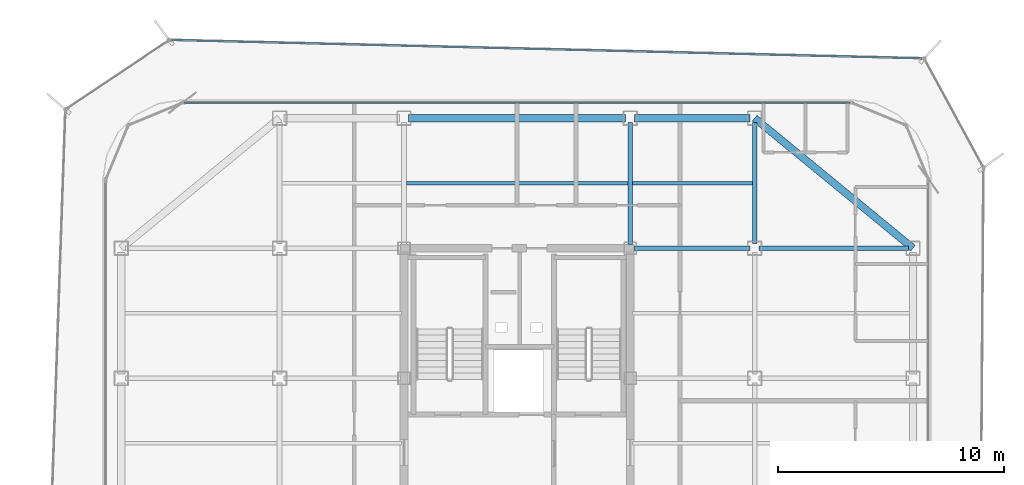
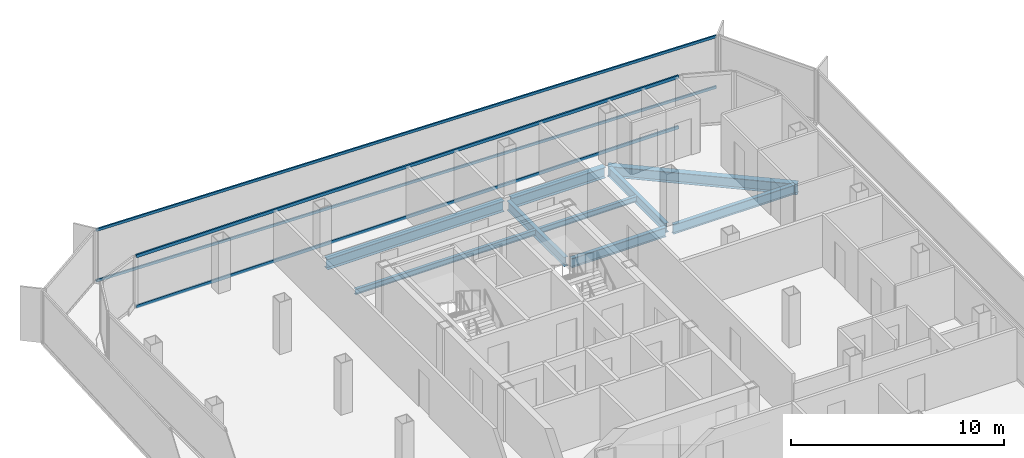
# One storey, part 7 of 15: 9 beams, 4 members, 2 elements without a shape of their own.
"""IFC4 building model written with IfcOpenShell, lengths in metres."""

from ifc_helpers import new_model, si_unit, direction, frame, origin, origin_2d, place, context, subcontext, project, spatial, hollow_rectangle, i_section, extrude, source, transform, mapped, material, layer, layer_set, material_profile, profile_set, type_object, element, aggregate, save


model = new_model("IFC4")

# Units and contexts
model_context = context("Model", 3, precision=1e-05, world=origin(), true_north=direction((0.0, 1.0)))
body_context = subcontext(model_context, "Body", "Model", "MODEL_VIEW")
ifc_project = project(units=[si_unit("LENGTHUNIT", "METRE"), si_unit("AREAUNIT", "SQUARE_METRE"), si_unit("VOLUMEUNIT", "CUBIC_METRE"), si_unit("PLANEANGLEUNIT", "RADIAN"), si_unit("MASSUNIT", "GRAM", prefix="KILO")], contexts=[model_context])

# Site, building, storey
site_placement = place(None, origin())
site = spatial("IfcSite", under=ifc_project, at=site_placement, CompositionType="ELEMENT")
building_placement = place(site_placement, origin())
building = spatial("IfcBuilding", under=site, at=building_placement, Name="Kolveth Station Tower", CompositionType="ELEMENT")
storey_placement = place(building_placement, frame((0.0, 0.0, 264.89990234375)))
storey = spatial("IfcBuildingStorey", under=building, at=storey_placement, Name="L76", CompositionType="ELEMENT", Elevation=264.89990234375)

# Beams
ifc_material_1 = material(Name="Steel S355", Category="steel")
ifc_material_profile_1 = material_profile(ifc_material_1, i_section(OverallWidth=0.323974609375, OverallDepth=0.611083984375, WebThickness=0.0126953125, FlangeThickness=0.01904296875, at=origin_2d()), Name="W610x155")
ifc_profile_set_1 = profile_set([ifc_material_profile_1], Name="Steel S355")
beam_type_1 = type_object("IfcBeamType", Name="Beam_SP2", PredefinedType="SPANDREL", material=ifc_profile_set_1)
shared_shape_1 = source(origin(), body_context, "Body", "SweptSolid", [
    extrude(i_section(OverallWidth=0.323974609375, OverallDepth=0.611083984375, WebThickness=0.0126953125, FlangeThickness=0.01904296875, at=origin_2d()), origin(), (0.0, 0.0, 1.0), 9.058837890625),
])
beam_1_placement = place(storey_placement, frame((41.0, 28.75, -0.525390625), z_axis=(-0.772726254525, 0.63473942336, 0.0), x_axis=(-0.63473942336, -0.772726254525, 0.0)))
element("IfcBeam", 1, at=beam_1_placement, inside=storey, type_object=beam_type_1, Name="L76 Corner Edge Girder BM-L76-CNR-NE", PredefinedType="SPANDREL", context=body_context, shape_type="MappedRepresentation", body=[
    mapped(shared_shape_1, transform((0.0, 0.0, 0.0), x_axis=(1.0, 0.0, 0.0), y_axis=(0.0, 1.0, 0.0), z_axis=(0.0, 0.0, 1.0), scale=1.0)),
])
shared_shape_2 = source(origin(), body_context, "Body", "SweptSolid", [
    extrude(i_section(OverallWidth=0.323974609375, OverallDepth=0.611083984375, WebThickness=0.0126953125, FlangeThickness=0.01904296875, at=origin_2d()), origin(), (0.0, 0.0, 1.0), 5.10009765625),
])
beam_2_placement = place(storey_placement, frame((28.699951171875, 34.5, -0.525390625), z_axis=(1.0, 0.0, 0.0), x_axis=(0.0, 1.0, 0.0)))
element("IfcBeam", 2, at=beam_2_placement, inside=storey, type_object=beam_type_1, Name="L76 Perimeter Spandrel BM-L76-PN-3", PredefinedType="SPANDREL", context=body_context, shape_type="MappedRepresentation", body=[
    mapped(shared_shape_2, transform((0.0, 0.0, 0.0), x_axis=(1.0, 0.0, 0.0), y_axis=(0.0, 1.0, 0.0), z_axis=(0.0, 0.0, 1.0), scale=1.0)),
])
shared_shape_3 = source(origin(), body_context, "Body", "SweptSolid", [
    extrude(i_section(OverallWidth=0.323974609375, OverallDepth=0.611083984375, WebThickness=0.0126953125, FlangeThickness=0.01904296875, at=origin_2d()), origin(), (0.0, 0.0, 1.0), 9.60009765625),
])
beam_3_placement = place(storey_placement, frame((18.699951171875, 34.5, -0.525390625), z_axis=(1.0, 0.0, 0.0), x_axis=(0.0, 1.0, 0.0)))
element("IfcBeam", 3, at=beam_3_placement, inside=storey, type_object=beam_type_1, Name="L76 Perimeter Spandrel BM-L76-PN-2", PredefinedType="SPANDREL", context=body_context, shape_type="MappedRepresentation", body=[
    mapped(shared_shape_3, transform((0.0, 0.0, 0.0), x_axis=(1.0, 0.0, 0.0), y_axis=(0.0, 1.0, 0.0), z_axis=(0.0, 0.0, 1.0), scale=1.0)),
])
ifc_material_profile_2 = material_profile(ifc_material_1, i_section(OverallWidth=0.2099609375, OverallDepth=0.537109375, WebThickness=0.010986328125, FlangeThickness=0.017333984375, at=origin_2d()), Name="W530x101")
ifc_profile_set_2 = profile_set([ifc_material_profile_2], Name="Steel S355")
beam_type_2 = type_object("IfcBeamType", Name="Beam_B6", PredefinedType="BEAM", material=ifc_profile_set_2)
shared_shape_4 = source(origin(), body_context, "Body", "SweptSolid", [
    extrude(i_section(OverallWidth=0.2099609375, OverallDepth=0.537109375, WebThickness=0.010986328125, FlangeThickness=0.017333984375, at=origin_2d()), origin(), (0.0, 0.0, 1.0), 6.60009765625),
])
beam_4_placement = place(storey_placement, frame((34.199951171875, 28.75, -0.48828125), z_axis=(1.0, 0.0, 0.0), x_axis=(0.0, 1.0, 0.0)))
element("IfcBeam", 4, at=beam_4_placement, inside=storey, type_object=beam_type_2, Name="L76 Primary Girder BM-L76-GY287-5", PredefinedType="BEAM", context=body_context, shape_type="MappedRepresentation", body=[
    mapped(shared_shape_4, transform((0.0, 0.0, 0.0), x_axis=(1.0, 0.0, 0.0), y_axis=(0.0, 1.0, 0.0), z_axis=(0.0, 0.0, 1.0), scale=1.0)),
])
shared_shape_5 = source(origin(), body_context, "Body", "SweptSolid", [
    extrude(i_section(OverallWidth=0.2099609375, OverallDepth=0.537109375, WebThickness=0.010986328125, FlangeThickness=0.017333984375, at=origin_2d()), origin(), (0.0, 0.0, 1.0), 5.14013671875),
])
beam_5_placement = place(storey_placement, frame((28.659912109375, 28.75, -0.48828125), z_axis=(1.0, 0.0, 0.0), x_axis=(0.0, 1.0, 0.0)))
element("IfcBeam", 5, at=beam_5_placement, inside=storey, type_object=beam_type_2, Name="L76 Primary Girder BM-L76-GY287-4", PredefinedType="BEAM", context=body_context, shape_type="MappedRepresentation", body=[
    mapped(shared_shape_5, transform((0.0, 0.0, 0.0), x_axis=(1.0, 0.0, 0.0), y_axis=(0.0, 1.0, 0.0), z_axis=(0.0, 0.0, 1.0), scale=1.0)),
])
shared_shape_6 = source(origin(), body_context, "Body", "SweptSolid", [
    extrude(i_section(OverallWidth=0.2099609375, OverallDepth=0.537109375, WebThickness=0.010986328125, FlangeThickness=0.017333984375, at=origin_2d()), origin(), (0.0, 0.0, 1.0), 5.35009765625),
])
beam_6_placement = place(storey_placement, frame((34.0, 28.949951171875, -0.48828125), z_axis=(0.0, 1.0, 0.0), x_axis=(-1.0, 0.0, 0.0)))
element("IfcBeam", 6, at=beam_6_placement, inside=storey, type_object=beam_type_2, Name="L76 Primary Girder BM-L76-GX340-6", PredefinedType="BEAM", context=body_context, shape_type="MappedRepresentation", body=[
    mapped(shared_shape_6, transform((0.0, 0.0, 0.0), x_axis=(1.0, 0.0, 0.0), y_axis=(0.0, 1.0, 0.0), z_axis=(0.0, 0.0, 1.0), scale=1.0)),
])
shared_shape_7 = source(origin(), body_context, "Body", "SweptSolid", [
    extrude(i_section(OverallWidth=0.2099609375, OverallDepth=0.537109375, WebThickness=0.010986328125, FlangeThickness=0.017333984375, at=origin_2d()), origin(), (0.0, 0.0, 1.0), 5.39013671875),
])
beam_7_placement = place(storey_placement, frame((28.5, 28.909912109375, -0.48828125), z_axis=(0.0, 1.0, 0.0), x_axis=(-1.0, 0.0, 0.0)))
element("IfcBeam", 7, at=beam_7_placement, inside=storey, type_object=beam_type_2, Name="L76 Primary Girder BM-L76-GX285-6", PredefinedType="BEAM", context=body_context, shape_type="MappedRepresentation", body=[
    mapped(shared_shape_7, transform((0.0, 0.0, 0.0), x_axis=(1.0, 0.0, 0.0), y_axis=(0.0, 1.0, 0.0), z_axis=(0.0, 0.0, 1.0), scale=1.0)),
])
ifc_material_profile_3 = material_profile(ifc_material_1, i_section(OverallWidth=0.1650390625, OverallDepth=0.31005859375, WebThickness=0.005859375, FlangeThickness=0.009765625, at=origin_2d()), Name="W310x39")
ifc_profile_set_3 = profile_set([ifc_material_profile_3], Name="Steel S355")
beam_type_3 = type_object("IfcBeamType", Name="Beam_J3", PredefinedType="JOIST", material=ifc_profile_set_3)
shared_shape_8 = source(origin(), body_context, "Body", "SweptSolid", [
    extrude(i_section(OverallWidth=0.1650390625, OverallDepth=0.31005859375, WebThickness=0.005859375, FlangeThickness=0.009765625, at=origin_2d()), origin(), (0.0, 0.0, 1.0), 5.2939453125),
])
beam_8_placement = place(storey_placement, frame((28.60302734375, 31.625, -0.375), z_axis=(1.0, 0.0, 0.0), x_axis=(0.0, 1.0, 0.0)))
element("IfcBeam", 8, at=beam_8_placement, inside=storey, type_object=beam_type_3, Name="L76 Secondary Joist JST-L76-4-6", PredefinedType="JOIST", context=body_context, shape_type="MappedRepresentation", body=[
    mapped(shared_shape_8, transform((0.0, 0.0, 0.0), x_axis=(1.0, 0.0, 0.0), y_axis=(0.0, 1.0, 0.0), z_axis=(0.0, 0.0, 1.0), scale=1.0)),
])
shared_shape_9 = source(origin(), body_context, "Body", "SweptSolid", [
    extrude(i_section(OverallWidth=0.1650390625, OverallDepth=0.31005859375, WebThickness=0.005859375, FlangeThickness=0.009765625, at=origin_2d()), origin(), (0.0, 0.0, 1.0), 9.7939453125),
])
beam_9_placement = place(storey_placement, frame((18.60302734375, 31.625, -0.375), z_axis=(1.0, 0.0, 0.0), x_axis=(0.0, 1.0, 0.0)))
element("IfcBeam", 9, at=beam_9_placement, inside=storey, type_object=beam_type_3, Name="L76 Secondary Joist JST-L76-3-6", PredefinedType="JOIST", context=body_context, shape_type="MappedRepresentation", body=[
    mapped(shared_shape_9, transform((0.0, 0.0, 0.0), x_axis=(1.0, 0.0, 0.0), y_axis=(0.0, 1.0, 0.0), z_axis=(0.0, 0.0, 1.0), scale=1.0)),
])

# Curtain wall, members
ifc_material_2 = material(Name="Aluminium 6063-T6 and triple low-E dark glass", Category="aluminium")
ifc_layer_1 = layer(ifc_material_2, 0.199951171875)
ifc_layer_set_1 = layer_set([ifc_layer_1], Name="Aluminium 6063-T6 and triple low-E dark glass")
curtain_wall_type_1 = type_object("IfcCurtainWallType", Name="CurtainWall_CW-Z3", PredefinedType="NOTDEFINED", material=ifc_layer_set_1)
curtain_wall_1_placement = place(storey_placement, origin())
curtain_wall_1 = element("IfcCurtainWall", 10, at=curtain_wall_1_placement, inside=storey, type_object=curtain_wall_type_1, Name="L76 Inner Thermal Curtain Wall 6", PredefinedType="NOTDEFINED")
ifc_material_3 = material(Name="Black anodized aluminium 6063-T6", Category="aluminium")
ifc_material_profile_4 = material_profile(ifc_material_3, hollow_rectangle(XDim=0.0849609375, YDim=0.179931640625, WallThickness=0.0048828125, at=origin_2d()), Name="ALU-85x180x5")
ifc_profile_set_4 = profile_set([ifc_material_profile_4], Name="Black anodized aluminium 6063-T6")
member_type_1 = type_object("IfcMemberType", Name="Transom_TR3", PredefinedType="USERDEFINED", material=ifc_profile_set_4)
shared_shape_10 = source(origin(), body_context, "Body", "SweptSolid", [
    extrude(hollow_rectangle(XDim=0.0849609375, YDim=0.179931640625, WallThickness=0.0048828125, at=origin_2d()), origin(), (0.0, 0.0, 1.0), 29.43017578125),
])
member_1_placement = place(storey_placement, frame((38.215087890625, 35.179931640625, 0.04248046875), z_axis=(-1.0, 0.0, 0.0), x_axis=(0.0, -1.0, 0.0)))
member_1 = element("IfcMember", 11, at=member_1_placement, type_object=member_type_1, Name="CW-Z3 transom 1.1", ObjectType="TRANSOM", PredefinedType="USERDEFINED", context=body_context, shape_type="MappedRepresentation", body=[
    mapped(shared_shape_10, transform((0.0, 0.0, 0.0), x_axis=(1.0, 0.0, 0.0), y_axis=(0.0, 1.0, 0.0), z_axis=(0.0, 0.0, 1.0), scale=1.0)),
])
member_2_placement = place(storey_placement, frame((38.215087890625, 35.179931640625, 2.9375), z_axis=(-1.0, 0.0, 0.0), x_axis=(0.0, -1.0, 0.0)))
member_2 = element("IfcMember", 12, at=member_2_placement, type_object=member_type_1, Name="CW-Z3 transom 1.2", ObjectType="TRANSOM", PredefinedType="USERDEFINED", context=body_context, shape_type="MappedRepresentation", body=[
    mapped(shared_shape_10, transform((0.0, 0.0, 0.0), x_axis=(1.0, 0.0, 0.0), y_axis=(0.0, 1.0, 0.0), z_axis=(0.0, 0.0, 1.0), scale=1.0)),
])
aggregate(curtain_wall_1, [member_1, member_2])

ifc_material_4 = material(Name="Black anodized aluminium 6063-T6 and dark solar glass", Category="aluminium")
ifc_layer_2 = layer(ifc_material_4, 0.159912109375)
ifc_layer_set_2 = layer_set([ifc_layer_2], Name="Black anodized aluminium 6063-T6 and dark solar glass")
curtain_wall_type_2 = type_object("IfcCurtainWallType", Name="OUTER SKIN CW-OS", PredefinedType="NOTDEFINED", material=ifc_layer_set_2)
curtain_wall_2_placement = place(storey_placement, origin())
curtain_wall_2 = element("IfcCurtainWall", 13, at=curtain_wall_2_placement, inside=storey, type_object=curtain_wall_type_2, Name="L76 Outer Ventilated Skin Curtain Wall 4", PredefinedType="NOTDEFINED")
ifc_material_profile_5 = material_profile(ifc_material_3, hollow_rectangle(XDim=0.080078125, YDim=0.14990234375, WallThickness=0.0048828125, at=origin_2d()), Name="ALU-80x150x5")
ifc_profile_set_5 = profile_set([ifc_material_profile_5], Name="Black anodized aluminium 6063-T6")
member_type_2 = type_object("IfcMemberType", Name="Transom_TR-OS", PredefinedType="USERDEFINED", material=ifc_profile_set_5)
shared_shape_11 = source(origin(), body_context, "Body", "SweptSolid", [
    extrude(hollow_rectangle(XDim=0.080078125, YDim=0.14990234375, WallThickness=0.0048828125, at=origin_2d()), origin(), (0.0, 0.0, 1.0), 33.20068359375),
])
member_3_placement = place(storey_placement, frame((41.40673828125, 37.140869140625, 0.0400390625), z_axis=(-0.999701583528, 0.024428341955, 0.0), x_axis=(-0.024428341955, -0.999701583528, 0.0)))
member_3 = element("IfcMember", 14, at=member_3_placement, type_object=member_type_2, Name="CW-OS transom 1.1", ObjectType="TRANSOM", PredefinedType="USERDEFINED", context=body_context, shape_type="MappedRepresentation", body=[
    mapped(shared_shape_11, transform((0.0, 0.0, 0.0), x_axis=(1.0, 0.0, 0.0), y_axis=(0.0, 1.0, 0.0), z_axis=(0.0, 0.0, 1.0), scale=1.0)),
])
member_4_placement = place(storey_placement, frame((41.40673828125, 37.140869140625, 2.9501953125), z_axis=(-0.999701583528, 0.024428341955, 0.0), x_axis=(-0.024428341955, -0.999701583528, 0.0)))
member_4 = element("IfcMember", 15, at=member_4_placement, type_object=member_type_2, Name="CW-OS transom 1.2", ObjectType="TRANSOM", PredefinedType="USERDEFINED", context=body_context, shape_type="MappedRepresentation", body=[
    mapped(shared_shape_11, transform((0.0, 0.0, 0.0), x_axis=(1.0, 0.0, 0.0), y_axis=(0.0, 1.0, 0.0), z_axis=(0.0, 0.0, 1.0), scale=1.0)),
])
aggregate(curtain_wall_2, [member_3, member_4])

save(model, "model.ifc")
